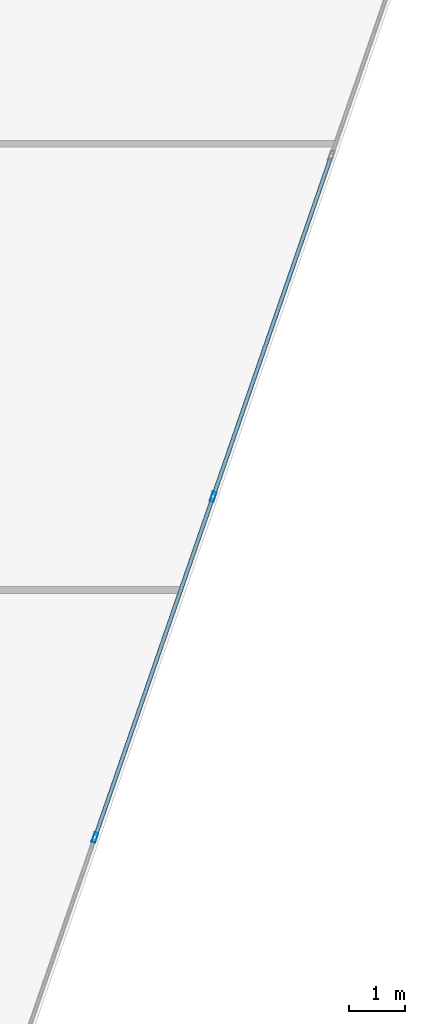
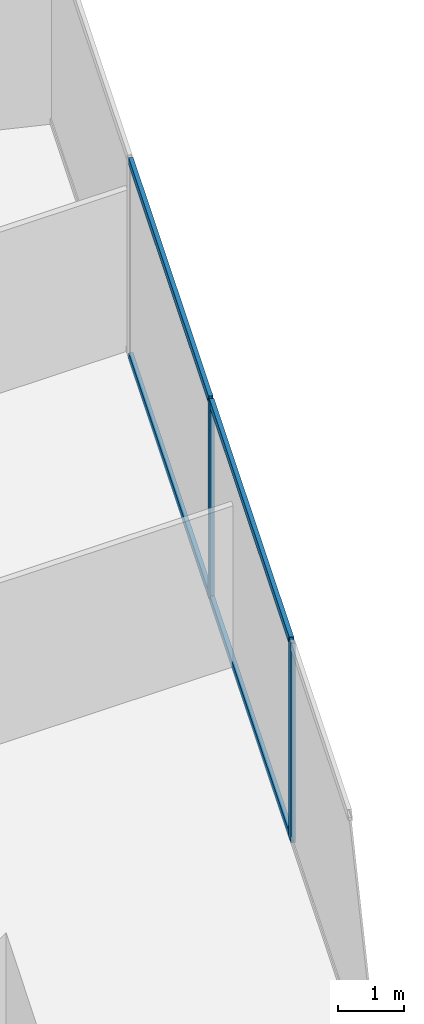
# One storey, part 13 of 27: 6 members, 1 element without a shape of its own.
"""IFC4 building model written with IfcOpenShell, lengths in metres."""

from ifc_helpers import new_model, si_unit, direction, frame, origin, origin_2d, place, context, subcontext, project, spatial, hollow_rectangle, extrude, source, transform, mapped, material, material_profile, profile_set, type_object, type_shapes, element, aggregate, save


model = new_model("IFC4")

# Units and contexts
model_context = context("Model", 3, precision=1e-05, world=origin(), true_north=direction((0.0, 1.0)))
body_context = subcontext(model_context, "Body", "Model", "MODEL_VIEW")
ifc_project = project(units=[si_unit("LENGTHUNIT", "METRE"), si_unit("AREAUNIT", "SQUARE_METRE"), si_unit("VOLUMEUNIT", "CUBIC_METRE"), si_unit("PLANEANGLEUNIT", "RADIAN"), si_unit("MASSUNIT", "GRAM", prefix="KILO")], contexts=[model_context])

# Site, building, storey
site_placement = place(None, origin())
site = spatial("IfcSite", under=ifc_project, at=site_placement, CompositionType="ELEMENT")
building_placement = place(site_placement, origin())
building = spatial("IfcBuilding", under=site, at=building_placement, Name="Krantzveldt Concourse Tower", CompositionType="ELEMENT")
storey_placement = place(building_placement, frame((0.0, 0.0, 121.64990234375)))
storey = spatial("IfcBuildingStorey", under=building, at=storey_placement, Name="L29", CompositionType="ELEMENT", Elevation=121.64990234375)

# Curtain wall, members
ifc_material = material(Name="Anodised aluminium 6063-T6", Category="aluminium")
curtain_wall_type = type_object("IfcCurtainWallType", Name="CW2", PredefinedType="USERDEFINED", material=ifc_material)
curtain_wall_placement = place(storey_placement, origin())
curtain_wall = element("IfcCurtainWall", 1, at=curtain_wall_placement, inside=storey, type_object=curtain_wall_type, Name="CW-L29-F07", ObjectType="UNITISED CURTAIN WALL", PredefinedType="USERDEFINED")
ifc_material_profile_1 = material_profile(ifc_material, hollow_rectangle(XDim=0.070068359375, YDim=0.179931640625, WallThickness=0.0048828125, at=origin_2d()), Name="Anodised aluminium 6063-T6", Category="aluminium")
ifc_profile_set_1 = profile_set([ifc_material_profile_1], Name="Anodised aluminium 6063-T6 - ALU-MULL 180x70x5")
member_type_1 = type_object("IfcMemberType", Name="CW-MUL-180", PredefinedType="MULLION", material=ifc_profile_set_1)
shared_shape_1 = source(origin(), body_context, "Body", "SweptSolid", [
    extrude(hollow_rectangle(XDim=0.070068359375, YDim=0.179931640625, WallThickness=0.0048828125, at=origin_2d()), origin(), (0.0, 0.0, 1.0), 3.670166015625),
])
type_shapes(member_type_1, [shared_shape_1])
member_1_placement = place(storey_placement, frame((58.0234375, 19.06298828125, 0.0), z_axis=(0.0, 0.0, 1.0), x_axis=(-0.944806041446, 0.32763019404, 0.0)))
member_1 = element("IfcMember", 2, at=member_1_placement, type_object=member_type_1, Name="CW-Z12 mullion 4", PredefinedType="MULLION", context=body_context, shape_type="MappedRepresentation", body=[
    mapped(shared_shape_1, transform((0.0, 0.0, 0.0), x_axis=(1.0, 0.0, 0.0), y_axis=(0.0, 1.0, 0.0), z_axis=(0.0, 0.0, 1.0), scale=1.0)),
])
member_2_placement = place(storey_placement, frame((60.14208984375, 25.172607421875, 0.0), z_axis=(0.0, 0.0, 1.0), x_axis=(-0.944806041446, 0.32763019404, 0.0)))
member_2 = element("IfcMember", 3, at=member_2_placement, type_object=member_type_1, Name="CW-Z12 mullion 5", PredefinedType="MULLION", context=body_context, shape_type="MappedRepresentation", body=[
    mapped(shared_shape_1, transform((0.0, 0.0, 0.0), x_axis=(1.0, 0.0, 0.0), y_axis=(0.0, 1.0, 0.0), z_axis=(0.0, 0.0, 1.0), scale=1.0)),
])
ifc_material_profile_2 = material_profile(ifc_material, hollow_rectangle(XDim=0.070068359375, YDim=0.139892578125, WallThickness=0.0048828125, at=origin_2d()), Name="Anodised aluminium 6063-T6", Category="aluminium")
ifc_profile_set_2 = profile_set([ifc_material_profile_2], Name="Anodised aluminium 6063-T6 - ALU-TRAN 140x70x5")
member_type_2 = type_object("IfcMemberType", Name="CW-TRN-150", PredefinedType="USERDEFINED", material=ifc_profile_set_2)
shared_shape_2 = source(origin(), body_context, "Body", "SweptSolid", [
    extrude(hollow_rectangle(XDim=0.070068359375, YDim=0.139892578125, WallThickness=0.0048828125, at=origin_2d()), origin(), (0.0, 0.0, 1.0), 6.396728515625),
])
member_3_placement = place(storey_placement, frame((58.034912109375, 19.095947265625, 0.03515625), z_axis=(0.327620443666, 0.944809422525, 0.0), x_axis=(-0.944809422525, 0.327620443666, 0.0)))
member_3 = element("IfcMember", 4, at=member_3_placement, type_object=member_type_2, Name="CW-Z12 transom 4.1", ObjectType="TRANSOM", PredefinedType="USERDEFINED", context=body_context, shape_type="MappedRepresentation", body=[
    mapped(shared_shape_2, transform((0.0, 0.0, 0.0), x_axis=(1.0, 0.0, 0.0), y_axis=(0.0, 1.0, 0.0), z_axis=(0.0, 0.0, 1.0), scale=1.0)),
])
member_4_placement = place(storey_placement, frame((58.034912109375, 19.095947265625, 3.635009765625), z_axis=(0.327620443666, 0.944809422525, 0.0), x_axis=(-0.944809422525, 0.327620443666, 0.0)))
member_4 = element("IfcMember", 5, at=member_4_placement, type_object=member_type_2, Name="CW-Z12 transom 4.2", ObjectType="TRANSOM", PredefinedType="USERDEFINED", context=body_context, shape_type="MappedRepresentation", body=[
    mapped(shared_shape_2, transform((0.0, 0.0, 0.0), x_axis=(1.0, 0.0, 0.0), y_axis=(0.0, 1.0, 0.0), z_axis=(0.0, 0.0, 1.0), scale=1.0)),
])
shared_shape_3 = source(origin(), body_context, "Body", "SweptSolid", [
    extrude(hollow_rectangle(XDim=0.070068359375, YDim=0.139892578125, WallThickness=0.0048828125, at=origin_2d()), origin(), (0.0, 0.0, 1.0), 6.396484375),
])
type_shapes(member_type_2, [shared_shape_2, shared_shape_3])
member_5_placement = place(storey_placement, frame((60.153564453125, 25.205810546875, 0.03515625), z_axis=(0.327632258054, 0.944805325706, 0.0), x_axis=(-0.944805325706, 0.327632258054, 0.0)))
member_5 = element("IfcMember", 6, at=member_5_placement, type_object=member_type_2, Name="CW-Z12 transom 5.1", ObjectType="TRANSOM", PredefinedType="USERDEFINED", context=body_context, shape_type="MappedRepresentation", body=[
    mapped(shared_shape_3, transform((0.0, 0.0, 0.0), x_axis=(1.0, 0.0, 0.0), y_axis=(0.0, 1.0, 0.0), z_axis=(0.0, 0.0, 1.0), scale=1.0)),
])
member_6_placement = place(storey_placement, frame((60.153564453125, 25.205810546875, 3.635009765625), z_axis=(0.327632258054, 0.944805325706, 0.0), x_axis=(-0.944805325706, 0.327632258054, 0.0)))
member_6 = element("IfcMember", 7, at=member_6_placement, type_object=member_type_2, Name="CW-Z12 transom 5.2", ObjectType="TRANSOM", PredefinedType="USERDEFINED", context=body_context, shape_type="MappedRepresentation", body=[
    mapped(shared_shape_3, transform((0.0, 0.0, 0.0), x_axis=(1.0, 0.0, 0.0), y_axis=(0.0, 1.0, 0.0), z_axis=(0.0, 0.0, 1.0), scale=1.0)),
])
aggregate(curtain_wall, [member_1, member_2, member_3, member_4, member_5, member_6])

save(model, "model.ifc")
